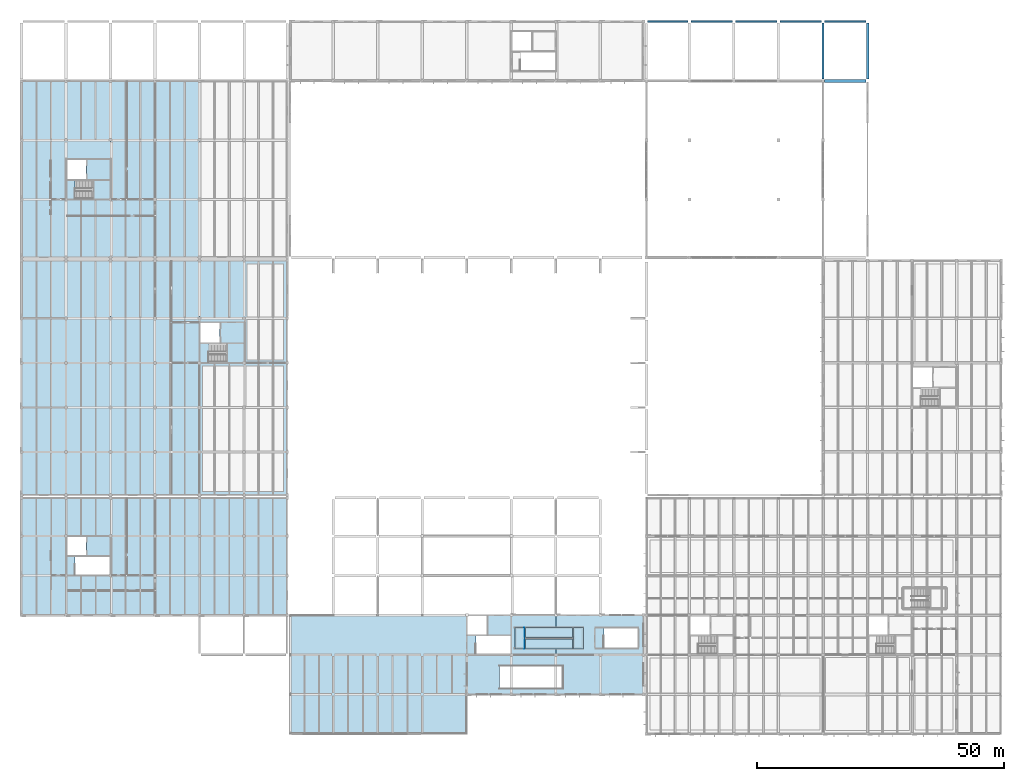
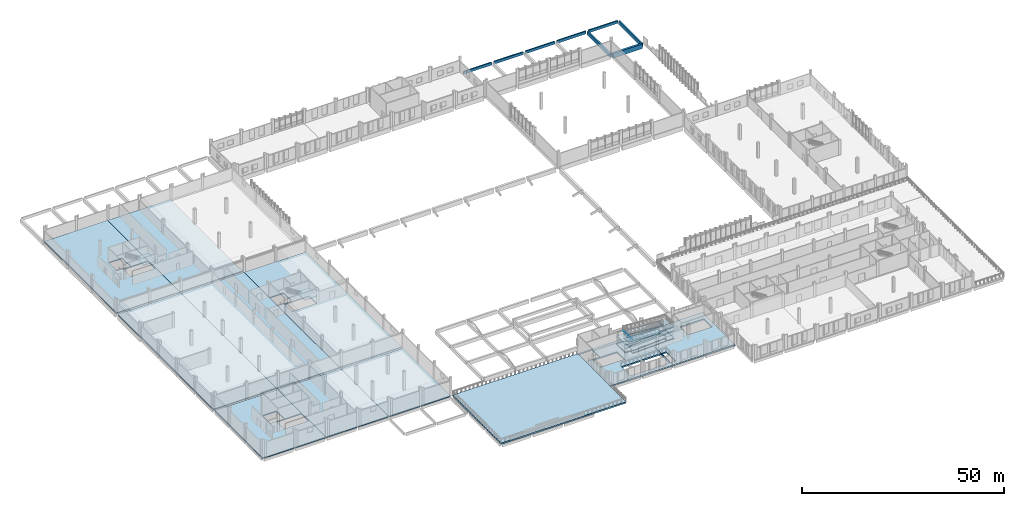
# One storey, part 27 of 63: 29 slabs, 8 beams, 3 elements without a shape of their own.
"""IFC4 building model written with IfcOpenShell, lengths in metres."""

from ifc_helpers import new_model, si_unit, direction, frame, origin, origin_2d, place, context, subcontext, project, spatial, polyline, rectangle, outline, extrude, material, layer, layer_set, material_profile, profile_set, type_object, element, aggregate, save


model = new_model("IFC4")

# Units and contexts
model_context = context("Model", 3, precision=1e-05, world=origin(), true_north=direction((0.0, 1.0)))
body_context = subcontext(model_context, "Body", "Model", "MODEL_VIEW")
ifc_project = project(units=[si_unit("LENGTHUNIT", "METRE"), si_unit("AREAUNIT", "SQUARE_METRE"), si_unit("VOLUMEUNIT", "CUBIC_METRE"), si_unit("PLANEANGLEUNIT", "RADIAN"), si_unit("MASSUNIT", "GRAM", prefix="KILO")], contexts=[model_context])

# Site, building, storey
site_placement = place(None, origin())
site = spatial("IfcSite", under=ifc_project, at=site_placement, CompositionType="ELEMENT")
building_placement = place(site_placement, origin())
building = spatial("IfcBuilding", under=site, at=building_placement, Name="Zacnel Wholesale Market", CompositionType="ELEMENT")
storey_placement = place(building_placement, frame((0.0, 0.0, 11.199951171875)))
storey = spatial("IfcBuildingStorey", under=building, at=storey_placement, Name="L03", CompositionType="ELEMENT", Elevation=11.199951171875)

# Beams
ifc_material_1 = material(Name="Precast concrete C45/55", Category="concrete")
ifc_material_profile_1 = material_profile(ifc_material_1, rectangle(XDim=0.5, YDim=1.050048828125, at=origin_2d()), Name="PG 500x1050")
ifc_profile_set_1 = profile_set([ifc_material_profile_1], Name="Precast concrete C45/55")
beam_type_1 = type_object("IfcBeamType", Name="BM-PG1050", PredefinedType="T_BEAM", material=ifc_profile_set_1)
beam_1_placement = place(storey_placement, frame((180.0, 132.35009765625, -0.824951171875), z_axis=(0.0, 1.0, 0.0), x_axis=(-1.0, 0.0, 0.0)))
element("IfcBeam", 1, at=beam_1_placement, inside=storey, type_object=beam_type_1, Name="Precast girder Y-0964", PredefinedType="T_BEAM", context=body_context, shape_type="SweptSolid", body=[
    extrude(rectangle(XDim=0.5, YDim=1.050048828125, at=origin_2d()), origin(), (0.0, 0.0, 1.0), 11.2998046875),
])
beam_2_placement = place(storey_placement, frame((189.0, 132.35009765625, -0.824951171875), z_axis=(0.0, 1.0, 0.0), x_axis=(-1.0, 0.0, 0.0)))
element("IfcBeam", 2, at=beam_2_placement, inside=storey, type_object=beam_type_1, Name="Precast girder Y-0976", PredefinedType="T_BEAM", context=body_context, shape_type="SweptSolid", body=[
    extrude(rectangle(XDim=0.5, YDim=1.050048828125, at=origin_2d()), origin(), (0.0, 0.0, 1.0), 11.324951171875),
])
ifc_material_2 = material(Name="Concrete C40/50", Category="concrete")
ifc_material_profile_2 = material_profile(ifc_material_2, rectangle(XDim=0.60009765625, YDim=1.39990234375, at=origin_2d()), Name="PTB 600x1400")
ifc_profile_set_2 = profile_set([ifc_material_profile_2], Name="Concrete C40/50")
beam_type_2 = type_object("IfcBeamType", Name="BM-PTB1400", PredefinedType="BEAM", material=ifc_profile_set_2)
beam_3_placement = place(storey_placement, frame((180.35009765625, 132.0, -0.699951171875), z_axis=(1.0, 0.0, 0.0), x_axis=(0.0, 1.0, 0.0)))
element("IfcBeam", 3, at=beam_3_placement, inside=storey, type_object=beam_type_2, Name="Precast girder X-0779", PredefinedType="BEAM", context=body_context, shape_type="SweptSolid", body=[
    extrude(rectangle(XDim=0.60009765625, YDim=1.39990234375, at=origin_2d()), origin(), (0.0, 0.0, 1.0), 8.2998046875),
])
ifc_material_3 = material(Name="Precast concrete C45/55", Category="concrete")
ifc_material_profile_3 = material_profile(ifc_material_3, rectangle(XDim=0.320068359375, YDim=0.820068359375, at=origin_2d()), Name="SP 320x820")
ifc_profile_set_3 = profile_set([ifc_material_profile_3], Name="Precast concrete C45/55")
beam_type_3 = type_object("IfcBeamType", Name="BM-SP820", PredefinedType="SPANDREL", material=ifc_profile_set_3)
beam_4_placement = place(storey_placement, frame((144.574951171875, 144.0, -0.7099609375), z_axis=(1.0, 0.0, 0.0), x_axis=(0.0, 1.0, 0.0)))
element("IfcBeam", 4, at=beam_4_placement, inside=storey, type_object=beam_type_3, Name="Precast girder X-0794", PredefinedType="SPANDREL", context=body_context, shape_type="SweptSolid", body=[
    extrude(rectangle(XDim=0.320068359375, YDim=0.820068359375, at=origin_2d()), origin(), (0.0, 0.0, 1.0), 8.10009765625),
])
for number, where, z_axis, x_axis, name in (
    (5, (153.324951171875, 144.0, -0.7099609375), (1.0, 0.0, 0.0), (0.0, 1.0, 0.0), "Precast girder X-0795"),
    (6, (162.324951171875, 144.0, -0.7099609375), (1.0, 0.0, 0.0), (0.0, 1.0, 0.0), "Precast girder X-0796"),
):
    element("IfcBeam", number, at=place(storey_placement, frame(where, z_axis=z_axis, x_axis=x_axis)), inside=storey, type_object=beam_type_3, Name=name, PredefinedType="SPANDREL", context=body_context, shape_type="SweptSolid", body=[
        extrude(rectangle(XDim=0.320068359375, YDim=0.820068359375, at=origin_2d()), origin(), (0.0, 0.0, 1.0), 8.35009765625),
    ])
for number, where, z_axis, x_axis, name in (
    (7, (171.324951171875, 144.0, -0.7099609375), (1.0, 0.0, 0.0), (0.0, 1.0, 0.0), "Precast girder X-0797"),
    (8, (180.35009765625, 144.0, -0.7099609375), (1.0, 0.0, 0.0), (0.0, 1.0, 0.0), "Precast girder X-0798"),
):
    element("IfcBeam", number, at=place(storey_placement, frame(where, z_axis=z_axis, x_axis=x_axis)), inside=storey, type_object=beam_type_3, Name=name, PredefinedType="SPANDREL", context=body_context, shape_type="SweptSolid", body=[
        extrude(rectangle(XDim=0.320068359375, YDim=0.820068359375, at=origin_2d()), origin(), (0.0, 0.0, 1.0), 8.324951171875),
    ])

# Slabs
ifc_material_4 = material(Name="Precast concrete C45/55", Category="concrete")
ifc_layer_1 = layer(ifc_material_4, 0.300048828125)
ifc_layer_set_1 = layer_set([ifc_layer_1], Name="Precast concrete C45/55")
slab_type_1 = type_object("IfcSlabType", Name="SLB-FLR-300", PredefinedType="FLOOR", material=ifc_layer_set_1)
slab_1_placement = place(storey_placement, frame((0.0, 0.0, -0.300048828125)))
element("IfcSlab", 9, at=slab_1_placement, inside=storey, type_object=slab_type_1, Name="Structural slab SLB-L03-V3-S-P1", PredefinedType="FLOOR", context=body_context, shape_type="SweptSolid", body=[
    extrude(outline(polyline([(36.0, 47.699951171875), (36.0, 24.0), (18.0, 24.0), (18.0, 47.699951171875), (36.0, 47.699951171875)]), holes=[polyline([(28.85009765625, 32.1298828125), (35.860107421875, 32.1298828125), (35.860107421875, 35.820068359375), (28.85009765625, 35.820068359375), (28.85009765625, 32.1298828125)]), polyline([(27.1298828125, 36.080078125), (31.070068359375, 36.080078125), (31.070068359375, 39.8701171875), (27.1298828125, 39.8701171875), (27.1298828125, 36.080078125)])]), origin(), (0.0, 0.0, 1.0), 0.300048828125),
])
slab_2_placement = place(storey_placement, frame((0.0, 0.0, -0.300048828125)))
element("IfcSlab", 10, at=slab_2_placement, inside=storey, type_object=slab_type_1, Name="Structural slab SLB-L03-V3-S-P2", PredefinedType="FLOOR", context=body_context, shape_type="SweptSolid", body=[
    extrude(outline(polyline([(54.0, 47.699951171875), (54.0, 24.0), (36.0, 24.0), (36.0, 47.699951171875), (54.0, 47.699951171875)])), origin(), (0.0, 0.0, 1.0), 0.300048828125),
])
slab_3_placement = place(storey_placement, frame((0.0, 0.0, -0.300048828125)))
element("IfcSlab", 11, at=slab_3_placement, inside=storey, type_object=slab_type_1, Name="Structural slab SLB-L03-V3-S-P3", PredefinedType="FLOOR", context=body_context, shape_type="SweptSolid", body=[
    extrude(outline(polyline([(71.699951171875, 24.0), (54.0, 24.0), (54.0, 47.699951171875), (71.699951171875, 47.699951171875), (71.699951171875, 24.0)])), origin(), (0.0, 0.0, 1.0), 0.300048828125),
])
slab_4_placement = place(storey_placement, frame((0.0, 0.0, -0.300048828125)))
element("IfcSlab", 12, at=slab_4_placement, inside=storey, type_object=slab_type_1, Name="Structural slab SLB-L03-V3-M-P1", PredefinedType="FLOOR", context=body_context, shape_type="SweptSolid", body=[
    extrude(outline(polyline([(36.0, 95.699951171875), (36.0, 48.300048828125), (18.0, 48.300048828125), (18.0, 95.699951171875), (36.0, 95.699951171875)])), origin(), (0.0, 0.0, 1.0), 0.300048828125),
])
slab_5_placement = place(storey_placement, frame((0.0, 0.0, -0.300048828125)))
element("IfcSlab", 13, at=slab_5_placement, inside=storey, type_object=slab_type_1, Name="Structural slab SLB-L03-V3-M-P2", PredefinedType="FLOOR", context=body_context, shape_type="SweptSolid", body=[
    extrude(outline(polyline([(54.0, 95.699951171875), (54.0, 48.300048828125), (36.0, 48.300048828125), (36.0, 95.699951171875), (54.0, 95.699951171875)])), origin(), (0.0, 0.0, 1.0), 0.300048828125),
])
slab_6_placement = place(storey_placement, frame((0.0, 0.0, -0.300048828125)))
element("IfcSlab", 14, at=slab_6_placement, inside=storey, type_object=slab_type_1, Name="Structural slab SLB-L03-V3-M-P3", PredefinedType="FLOOR", context=body_context, shape_type="SweptSolid", body=[
    extrude(outline(polyline([(71.699951171875, 48.300048828125), (54.0, 48.300048828125), (54.0, 95.699951171875), (71.699951171875, 95.699951171875), (71.699951171875, 48.300048828125)]), holes=[polyline([(55.85009765625, 75.1298828125), (62.8701171875, 75.1298828125), (62.8701171875, 78.820068359375), (55.85009765625, 78.820068359375), (55.85009765625, 75.1298828125)]), polyline([(54.139892578125, 79.080078125), (58.070068359375, 79.080078125), (58.070068359375, 83.070068359375), (54.139892578125, 83.070068359375), (54.139892578125, 79.080078125)])]), origin(), (0.0, 0.0, 1.0), 0.300048828125),
])
slab_7_placement = place(storey_placement, frame((0.0, 0.0, -0.300048828125)))
element("IfcSlab", 15, at=slab_7_placement, inside=storey, type_object=slab_type_1, Name="Structural slab SLB-L03-V3-N-P1", PredefinedType="FLOOR", context=body_context, shape_type="SweptSolid", body=[
    extrude(outline(polyline([(36.0, 132.0), (36.0, 96.300048828125), (18.0, 96.300048828125), (18.0, 132.0), (36.0, 132.0)]), holes=[polyline([(28.85009765625, 108.1298828125), (35.860107421875, 108.1298828125), (35.860107421875, 111.820068359375), (28.85009765625, 111.820068359375), (28.85009765625, 108.1298828125)]), polyline([(27.1298828125, 112.080078125), (31.070068359375, 112.080078125), (31.070068359375, 116.070068359375), (27.1298828125, 116.070068359375), (27.1298828125, 112.080078125)])]), origin(), (0.0, 0.0, 1.0), 0.300048828125),
])
slab_8_placement = place(storey_placement, frame((0.0, 0.0, -0.300048828125)))
element("IfcSlab", 16, at=slab_8_placement, inside=storey, type_object=slab_type_1, Name="Structural slab SLB-L03-V3-N-P2", PredefinedType="FLOOR", context=body_context, shape_type="SweptSolid", body=[
    extrude(outline(polyline([(54.0, 132.0), (54.0, 96.300048828125), (36.0, 96.300048828125), (36.0, 132.0), (54.0, 132.0)])), origin(), (0.0, 0.0, 1.0), 0.300048828125),
])
ifc_material_5 = material(Name="Precast concrete C45/55", Category="concrete")
ifc_layer_2 = layer(ifc_material_5, 0.419921875)
ifc_layer_set_2 = layer_set([ifc_layer_2], Name="Precast concrete C45/55")
slab_type_2 = type_object("IfcSlabType", Name="SLB-FLR-420", PredefinedType="FLOOR", material=ifc_layer_set_2)
slab_9_placement = place(storey_placement, frame((0.0, 0.0, -0.419921875)))
element("IfcSlab", 17, at=slab_9_placement, inside=storey, type_object=slab_type_2, Name="Structural slab SLB-L03-V4-TER-M", PredefinedType="FLOOR", context=body_context, shape_type="SweptSolid", body=[
    extrude(outline(polyline([(108.0, 0.0), (108.0, 24.0), (72.300048828125, 24.0), (72.300048828125, 0.0), (108.0, 0.0)])), origin(), (0.0, 0.0, 1.0), 0.419921875),
])
slab_10_placement = place(storey_placement, frame((0.0, 0.0, -0.419921875)))
element("IfcSlab", 18, at=slab_10_placement, inside=storey, type_object=slab_type_2, Name="Structural slab SLB-L03-V4-EAST-P1", PredefinedType="FLOOR", context=body_context, shape_type="SweptSolid", body=[
    extrude(outline(polyline([(126.0, 24.0), (126.0, 8.0), (108.0, 8.0), (108.0, 24.0), (126.0, 24.0)]), holes=[polyline([(109.85009765625, 16.1298828125), (116.8701171875, 16.1298828125), (116.8701171875, 19.820068359375), (109.85009765625, 19.820068359375), (109.85009765625, 16.1298828125)]), polyline([(108.139892578125, 20.080078125), (112.070068359375, 20.080078125), (112.070068359375, 23.860107421875), (108.139892578125, 23.860107421875), (108.139892578125, 20.080078125)]), polyline([(114.60009765625, 9.199951171875), (125.85009765625, 9.199951171875), (125.85009765625, 13.699951171875), (114.60009765625, 13.699951171875), (114.60009765625, 9.199951171875)])]), origin(), (0.0, 0.0, 1.0), 0.419921875),
])
slab_11_placement = place(storey_placement, frame((0.0, 0.0, -0.419921875)))
element("IfcSlab", 19, at=slab_11_placement, inside=storey, type_object=slab_type_2, Name="Structural slab SLB-L03-V4-EAST-P2", PredefinedType="FLOOR", context=body_context, shape_type="SweptSolid", body=[
    extrude(outline(polyline([(143.699951171875, 8.0), (126.0, 8.0), (126.0, 24.0), (143.699951171875, 24.0), (143.699951171875, 8.0)]), holes=[polyline([(135.719970703125, 17.39990234375), (142.60009765625, 17.39990234375), (142.60009765625, 21.39990234375), (135.719970703125, 21.39990234375), (135.719970703125, 17.39990234375)]), polyline([(126.14990234375, 9.199951171875), (127.39990234375, 9.199951171875), (127.39990234375, 13.699951171875), (126.14990234375, 13.699951171875), (126.14990234375, 9.199951171875)])]), origin(), (0.0, 0.0, 1.0), 0.419921875),
])

# Stair, slab
ifc_material_6 = material(Name="Precast concrete C45/55", Category="concrete")
stair_type = type_object("IfcStairType", Name="STR-DOGLEG-1550", PredefinedType="HALF_TURN_STAIR", material=ifc_material_6)
stair_1_placement = place(storey_placement, origin())
stair_1 = element("IfcStair", 20, at=stair_1_placement, inside=storey, type_object=stair_type, Name="Stair ST-11 (L03)", PredefinedType="HALF_TURN_STAIR")
ifc_material_7 = material(Name="Precast concrete C45/55", Category="concrete")
ifc_layer_3 = layer(ifc_material_7, 0.199951171875)
ifc_layer_set_3 = layer_set([ifc_layer_3], Name="Precast concrete C45/55")
slab_type_3 = type_object("IfcSlabType", Name="SLB-LAND-200", PredefinedType="LANDING", material=ifc_layer_set_3)
slab_12_placement = place(storey_placement, frame((0.0, 0.0, 2.074951171875)))
slab_12 = element("IfcSlab", 21, at=slab_12_placement, type_object=slab_type_3, Name="ST-11 landing 1", PredefinedType="LANDING", context=body_context, shape_type="SweptSolid", body=[
    extrude(outline(polyline([(59.409912109375, 74.989990234375), (63.010009765625, 74.989990234375), (63.010009765625, 78.9599609375), (59.409912109375, 78.9599609375), (59.409912109375, 74.989990234375)])), origin(), (0.0, 0.0, 1.0), 0.2001953125),
])
aggregate(stair_1, [slab_12])

stair_2_placement = place(storey_placement, origin())
stair_2 = element("IfcStair", 22, at=stair_2_placement, inside=storey, type_object=stair_type, Name="Stair ST-30 (L03)", PredefinedType="HALF_TURN_STAIR")
slab_13_placement = place(storey_placement, frame((0.0, 0.0, 2.074951171875)))
slab_13 = element("IfcSlab", 23, at=slab_13_placement, type_object=slab_type_3, Name="ST-30 landing 1", PredefinedType="LANDING", context=body_context, shape_type="SweptSolid", body=[
    extrude(outline(polyline([(32.409912109375, 107.989990234375), (36.010009765625, 107.989990234375), (36.010009765625, 111.9599609375), (32.409912109375, 111.9599609375), (32.409912109375, 107.989990234375)])), origin(), (0.0, 0.0, 1.0), 0.2001953125),
])
aggregate(stair_2, [slab_13])

# Ramp, slabs
ifc_material_8 = material(Name="Precast concrete C45/55", Category="concrete")
ramp_type = type_object("IfcRampType", Name="RMP-TWO-RUN-2000", PredefinedType="TWO_STRAIGHT_RUN_RAMP", material=ifc_material_8)
ramp_placement = place(storey_placement, origin())
ramp = element("IfcRamp", 24, at=ramp_placement, inside=storey, type_object=ramp_type, Name="Accessible ramp RP-05 (RMP-PROM-3)", PredefinedType="TWO_STRAIGHT_RUN_RAMP")
ifc_material_9 = material(Name="Precast concrete C45/55", Category="concrete")
ifc_layer_4 = layer(ifc_material_9, 0.219970703125)
ifc_layer_set_4 = layer_set([ifc_layer_4], Name="Precast concrete C45/55")
slab_type_4 = type_object("IfcSlabType", Name="SLB-LAND-220", PredefinedType="LANDING", material=ifc_layer_set_4)
slab_14_placement = place(storey_placement, frame((119.8798828125, 17.199951171875, 0.170166015625), z_axis=(-0.033496870924, 0.0, 0.999438822359), x_axis=(0.999438822359, 0.0, 0.033496870924)))
slab_14 = element("IfcSlab", 25, at=slab_14_placement, type_object=slab_type_4, Name="Accessible ramp RP-05 (RMP-PROM-3) structural deck 1", PredefinedType="LANDING", context=body_context, shape_type="SweptSolid", body=[
    extrude(outline(polyline([(0.0, 0.0), (9.511441123717615, 0.0), (9.511441123717615, 2.0000000000000004), (0.0, 2.0000000000000004), (0.0, 0.0)])), origin(), (0.0, 0.0, -1.0), 0.159912109375),
])
slab_15_placement = place(storey_placement, frame((0.0, 0.0, 0.348876953125)))
slab_15 = element("IfcSlab", 26, at=slab_15_placement, type_object=slab_type_4, Name="Accessible ramp RP-05 (RMP-PROM-3) landing 1", PredefinedType="LANDING", context=body_context, shape_type="SweptSolid", body=[
    extrude(outline(polyline([(129.615966796875, 17.199951171875), (131.56591796875, 17.199951171875), (131.56591796875, 21.5), (129.615966796875, 21.5), (129.615966796875, 17.199951171875)])), origin(), (0.0, 0.0, 1.0), 0.219970703125),
])
slab_16_placement = place(storey_placement, frame((119.8798828125, 19.5, 0.8974609375), z_axis=(0.059707856745, 0.0, 0.998215894405), x_axis=(0.998215894405, 0.0, -0.059707856745)))
slab_16 = element("IfcSlab", 27, at=slab_16_placement, type_object=slab_type_4, Name="Accessible ramp RP-05 (RMP-PROM-3) structural deck 2", PredefinedType="LANDING", context=body_context, shape_type="SweptSolid", body=[
    extrude(outline(polyline([(0.0, 0.0), (9.523093720412454, 0.0), (9.523093720412454, 2.0000000000000004), (0.0, 2.0000000000000004), (0.0, 0.0)])), origin(), (0.0, 0.0, -1.0), 0.159912109375),
])
slab_17_placement = place(storey_placement, frame((0.0, 0.0, 0.91748046875)))
slab_17 = element("IfcSlab", 28, at=slab_17_placement, type_object=slab_type_4, Name="Accessible ramp RP-05 (RMP-PROM-3) landing 2", PredefinedType="LANDING", context=body_context, shape_type="SweptSolid", body=[
    extrude(outline(polyline([(117.699951171875, 17.199951171875), (119.64990234375, 17.199951171875), (119.64990234375, 21.5), (117.699951171875, 21.5), (117.699951171875, 17.199951171875)])), origin(), (0.0, 0.0, 1.0), 0.219970703125),
])
slab_18_placement = place(storey_placement, frame((119.8798828125, 17.199951171875, 0.8974609375), z_axis=(-0.059733401983, 0.0, 0.9982143661), x_axis=(0.9982143661, 0.0, 0.059733401983)))
slab_18 = element("IfcSlab", 29, at=slab_18_placement, type_object=slab_type_4, Name="Accessible ramp RP-05 (RMP-PROM-3) structural deck 3", PredefinedType="LANDING", context=body_context, shape_type="SweptSolid", body=[
    extrude(outline(polyline([(0.0, 0.0), (9.523108300644232, 0.0), (9.523108300644232, 2.0), (0.0, 2.0), (0.0, 0.0)])), origin(), (0.0, 0.0, -1.0), 0.159912109375),
])
slab_19_placement = place(storey_placement, frame((0.0, 0.0, 1.486328125)))
slab_19 = element("IfcSlab", 30, at=slab_19_placement, type_object=slab_type_4, Name="Accessible ramp RP-05 (RMP-PROM-3) landing 3", PredefinedType="LANDING", context=body_context, shape_type="SweptSolid", body=[
    extrude(outline(polyline([(129.615966796875, 17.199951171875), (131.56591796875, 17.199951171875), (131.56591796875, 21.5), (129.615966796875, 21.5), (129.615966796875, 17.199951171875)])), origin(), (0.0, 0.0, 1.0), 0.219970703125),
])
slab_20_placement = place(storey_placement, frame((119.8798828125, 19.5, 2.03515625), z_axis=(0.059733401983, 0.0, 0.9982143661), x_axis=(0.9982143661, 0.0, -0.059733401983)))
slab_20 = element("IfcSlab", 31, at=slab_20_placement, type_object=slab_type_4, Name="Accessible ramp RP-05 (RMP-PROM-3) structural deck 4", PredefinedType="LANDING", context=body_context, shape_type="SweptSolid", body=[
    extrude(outline(polyline([(0.0, 0.0), (9.523108300644232, 0.0), (9.523108300644232, 2.0), (0.0, 2.0), (0.0, 0.0)])), origin(), (0.0, 0.0, -1.0), 0.159912109375),
])
slab_21_placement = place(storey_placement, frame((0.0, 0.0, 2.054931640625)))
slab_21 = element("IfcSlab", 32, at=slab_21_placement, type_object=slab_type_4, Name="Accessible ramp RP-05 (RMP-PROM-3) landing 4", PredefinedType="LANDING", context=body_context, shape_type="SweptSolid", body=[
    extrude(outline(polyline([(117.699951171875, 17.199951171875), (119.64990234375, 17.199951171875), (119.64990234375, 21.5), (117.699951171875, 21.5), (117.699951171875, 17.199951171875)])), origin(), (0.0, 0.0, 1.0), 0.22021484375),
])
slab_22_placement = place(storey_placement, frame((119.8798828125, 17.199951171875, 2.03515625), z_axis=(-0.059707856745, 0.0, 0.998215894405), x_axis=(0.998215894405, 0.0, 0.059707856745)))
slab_22 = element("IfcSlab", 33, at=slab_22_placement, type_object=slab_type_4, Name="Accessible ramp RP-05 (RMP-PROM-3) structural deck 5", PredefinedType="LANDING", context=body_context, shape_type="SweptSolid", body=[
    extrude(outline(polyline([(0.0, 0.0), (9.523093720412454, 0.0), (9.523093720412454, 2.0000000000000004), (0.0, 2.0000000000000004), (0.0, 0.0)])), origin(), (0.0, 0.0, -1.0), 0.159912109375),
])
slab_23_placement = place(storey_placement, frame((0.0, 0.0, 2.623779296875)))
slab_23 = element("IfcSlab", 34, at=slab_23_placement, type_object=slab_type_4, Name="Accessible ramp RP-05 (RMP-PROM-3) landing 5", PredefinedType="LANDING", context=body_context, shape_type="SweptSolid", body=[
    extrude(outline(polyline([(129.615966796875, 17.199951171875), (131.56591796875, 17.199951171875), (131.56591796875, 21.5), (129.615966796875, 21.5), (129.615966796875, 17.199951171875)])), origin(), (0.0, 0.0, 1.0), 0.219970703125),
])
slab_24_placement = place(storey_placement, frame((119.8798828125, 19.5, 3.172607421875), z_axis=(0.059733401983, 0.0, 0.9982143661), x_axis=(0.9982143661, 0.0, -0.059733401983)))
slab_24 = element("IfcSlab", 35, at=slab_24_placement, type_object=slab_type_4, Name="Accessible ramp RP-05 (RMP-PROM-3) structural deck 6", PredefinedType="LANDING", context=body_context, shape_type="SweptSolid", body=[
    extrude(outline(polyline([(0.0, 0.0), (9.523108300644232, 0.0), (9.523108300644232, 2.0), (0.0, 2.0), (0.0, 0.0)])), origin(), (0.0, 0.0, -1.0), 0.159912109375),
])
slab_25_placement = place(storey_placement, frame((0.0, 0.0, 3.192626953125)))
slab_25 = element("IfcSlab", 36, at=slab_25_placement, type_object=slab_type_4, Name="Accessible ramp RP-05 (RMP-PROM-3) landing 6", PredefinedType="LANDING", context=body_context, shape_type="SweptSolid", body=[
    extrude(outline(polyline([(117.699951171875, 17.199951171875), (119.64990234375, 17.199951171875), (119.64990234375, 21.5), (117.699951171875, 21.5), (117.699951171875, 17.199951171875)])), origin(), (0.0, 0.0, 1.0), 0.219970703125),
])
slab_26_placement = place(storey_placement, frame((119.8798828125, 17.199951171875, 3.172607421875), z_axis=(-0.059733401983, 0.0, 0.9982143661), x_axis=(0.9982143661, 0.0, 0.059733401983)))
slab_26 = element("IfcSlab", 37, at=slab_26_placement, type_object=slab_type_4, Name="Accessible ramp RP-05 (RMP-PROM-3) structural deck 7", PredefinedType="LANDING", context=body_context, shape_type="SweptSolid", body=[
    extrude(outline(polyline([(0.0, 0.0), (9.523108300644232, 0.0), (9.523108300644232, 2.0), (0.0, 2.0), (0.0, 0.0)])), origin(), (0.0, 0.0, -1.0), 0.159912109375),
])
slab_27_placement = place(storey_placement, frame((0.0, 0.0, 3.76123046875)))
slab_27 = element("IfcSlab", 38, at=slab_27_placement, type_object=slab_type_4, Name="Accessible ramp RP-05 (RMP-PROM-3) landing 7", PredefinedType="LANDING", context=body_context, shape_type="SweptSolid", body=[
    extrude(outline(polyline([(129.615966796875, 17.199951171875), (131.56591796875, 17.199951171875), (131.56591796875, 21.5), (129.615966796875, 21.5), (129.615966796875, 17.199951171875)])), origin(), (0.0, 0.0, 1.0), 0.22021484375),
])
slab_28_placement = place(storey_placement, frame((119.8798828125, 19.5, 4.31005859375), z_axis=(0.059707856745, 0.0, 0.998215894405), x_axis=(0.998215894405, 0.0, -0.059707856745)))
slab_28 = element("IfcSlab", 39, at=slab_28_placement, type_object=slab_type_4, Name="Accessible ramp RP-05 (RMP-PROM-3) structural deck 8", PredefinedType="LANDING", context=body_context, shape_type="SweptSolid", body=[
    extrude(outline(polyline([(0.0, 0.0), (9.523093720412454, 0.0), (9.523093720412454, 2.0000000000000004), (0.0, 2.0000000000000004), (0.0, 0.0)])), origin(), (0.0, 0.0, -1.0), 0.159912109375),
])
slab_29_placement = place(storey_placement, frame((0.0, 0.0, 4.330078125)))
slab_29 = element("IfcSlab", 40, at=slab_29_placement, type_object=slab_type_4, Name="Accessible ramp RP-05 (RMP-PROM-3) landing 8", PredefinedType="LANDING", context=body_context, shape_type="SweptSolid", body=[
    extrude(outline(polyline([(119.6298828125, 17.199951171875), (119.64990234375, 17.199951171875), (119.64990234375, 21.5), (119.6298828125, 21.5), (119.6298828125, 17.199951171875)])), origin(), (0.0, 0.0, 1.0), 0.219970703125),
])
aggregate(ramp, [slab_14, slab_15, slab_16, slab_17, slab_18, slab_19, slab_20, slab_21, slab_22, slab_23, slab_24, slab_25, slab_26, slab_27, slab_28, slab_29])

save(model, "model.ifc")
